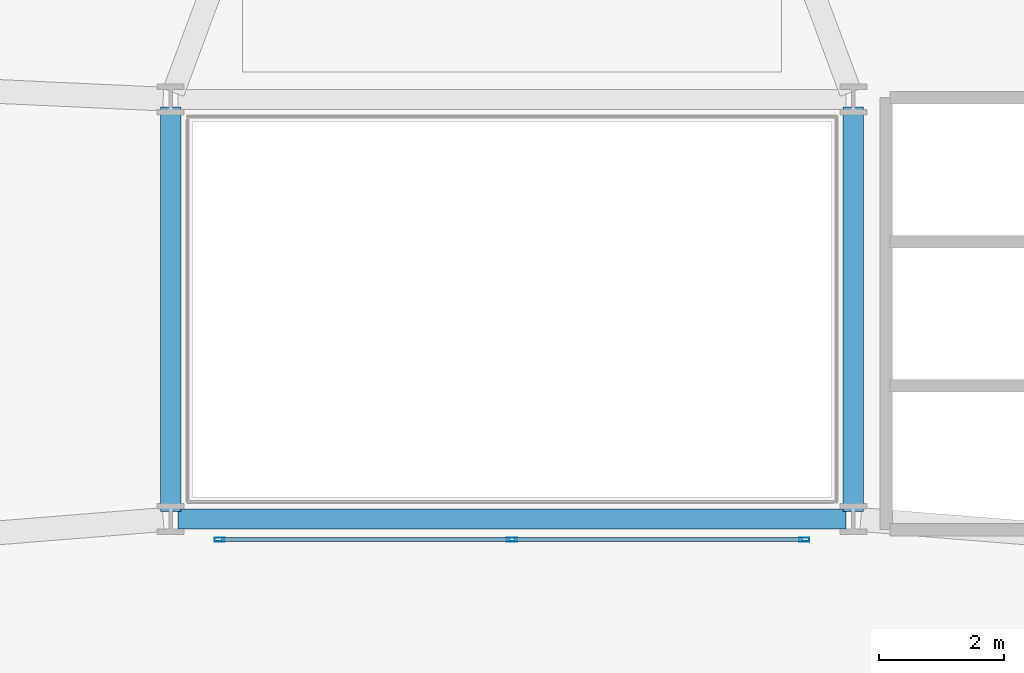
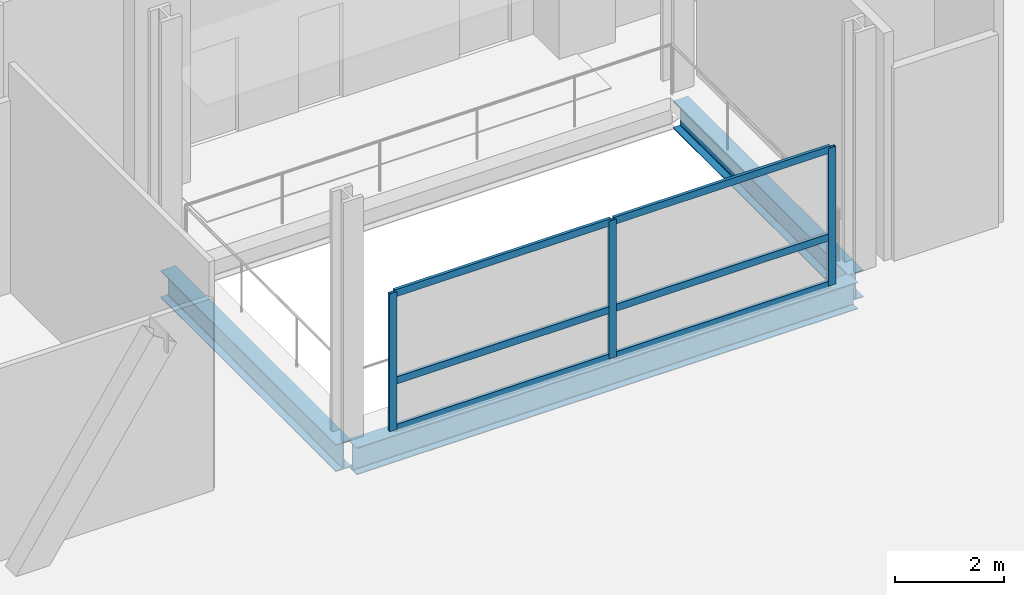
# One storey, part 15 of 40: 9 members, 3 beams, 1 element without a shape of its own.
"""IFC4 building model written with IfcOpenShell, lengths in metres."""

from ifc_helpers import new_model, si_unit, direction, frame, origin, origin_2d, place, context, subcontext, project, spatial, hollow_rectangle, i_section, extrude, material, layer, layer_set, material_profile, profile_set, type_object, element, aggregate, save


model = new_model("IFC4")

# Units and contexts
model_context = context("Model", 3, precision=1e-05, world=origin(), true_north=direction((0.0, 1.0)))
body_context = subcontext(model_context, "Body", "Model", "MODEL_VIEW")
ifc_project = project(units=[si_unit("LENGTHUNIT", "METRE"), si_unit("AREAUNIT", "SQUARE_METRE"), si_unit("VOLUMEUNIT", "CUBIC_METRE"), si_unit("PLANEANGLEUNIT", "RADIAN"), si_unit("MASSUNIT", "GRAM", prefix="KILO")], contexts=[model_context])

# Site, building, storey
site_placement = place(None, origin())
site = spatial("IfcSite", under=ifc_project, at=site_placement, CompositionType="ELEMENT")
building_placement = place(site_placement, origin())
building = spatial("IfcBuilding", under=site, at=building_placement, Name="Varnelok Gate Tower", CompositionType="ELEMENT")
storey_placement = place(building_placement, frame((0.0, 0.0, 5.39990234375)))
storey = spatial("IfcBuildingStorey", under=building, at=storey_placement, Name="L01", CompositionType="ELEMENT", Elevation=5.39990234375)

# Beams
ifc_material_1 = material(Name="Structural Steel ASTM A992 Grade 50", Category="steel")
ifc_material_profile_1 = material_profile(ifc_material_1, i_section(OverallWidth=0.323974609375, OverallDepth=0.611083984375, WebThickness=0.0126953125, FlangeThickness=0.01904296875, FilletRadius=0.01806640625, at=origin_2d()), Name="W24X104")
ifc_profile_set_1 = profile_set([ifc_material_profile_1], Name="Structural Steel ASTM A992 Grade 50")
beam_type = type_object("IfcBeamType", Name="BM-SPN-W24X104", PredefinedType="SPANDREL", material=ifc_profile_set_1)
beam_placement = place(storey_placement, frame((33.8701171875, 19.550048828125, -0.58544921875), z_axis=(1.0, 0.0, 0.0), x_axis=(0.0, 1.0, 0.0)))
element("IfcBeam", 1, at=beam_placement, inside=storey, type_object=beam_type, Name="L01 Core-Atrium Spine Beam 8", PredefinedType="SPANDREL", context=body_context, shape_type="SweptSolid", body=[
    extrude(i_section(OverallWidth=0.323974609375, OverallDepth=0.611083984375, WebThickness=0.0126953125, FlangeThickness=0.01904296875, FilletRadius=0.01806640625, at=origin_2d()), origin(), (0.0, 0.0, 1.0), 10.659912109375),
])
for number, where, z_axis, x_axis, name in (
    (2, (33.75, 19.669921875, -0.58544921875), (0.0, 1.0, 0.0), (-1.0, 0.0, 0.0), "L01 Core-Atrium Spine Beam 10"),
    (3, (44.64990234375, 19.669921875, -0.58544921875), (0.0, 1.0, 0.0), (-1.0, 0.0, 0.0), "L01 Core-Atrium Spine Beam 11"),
):
    element("IfcBeam", number, at=place(storey_placement, frame(where, z_axis=z_axis, x_axis=x_axis)), inside=storey, type_object=beam_type, Name=name, PredefinedType="SPANDREL", context=body_context, shape_type="SweptSolid", body=[
        extrude(i_section(OverallWidth=0.323974609375, OverallDepth=0.611083984375, WebThickness=0.0126953125, FlangeThickness=0.01904296875, FilletRadius=0.01806640625, at=origin_2d()), origin(), (0.0, 0.0, 1.0), 6.4599609375),
    ])

# Curtain wall, members
ifc_material_2 = material(Name="Anodized Aluminum Alloy 6063-T6", Category="aluminium")
ifc_layer = layer(ifc_material_2, 0.179931640625)
ifc_layer_set = layer_set([ifc_layer], Name="Anodized Aluminum Alloy 6063-T6")
curtain_wall_type = type_object("IfcCurtainWallType", Name="CW2-ATRIUM-GLAZING", PredefinedType="USERDEFINED", material=ifc_layer_set)
curtain_wall_placement = place(storey_placement, origin())
curtain_wall = element("IfcCurtainWall", 4, at=curtain_wall_placement, inside=storey, type_object=curtain_wall_type, Name="L01 Internal Atrium Gallery Curtain Wall", ObjectType="UNITISED CURTAIN WALL", PredefinedType="USERDEFINED")
ifc_material_profile_2 = material_profile(ifc_material_2, hollow_rectangle(XDim=0.06494140625, YDim=0.159912109375, WallThickness=0.00390625, at=origin_2d()), Name="ALU160X65X4")
ifc_profile_set_2 = profile_set([ifc_material_profile_2], Name="Anodized Aluminum Alloy 6063-T6")
member_type_1 = type_object("IfcMemberType", Name="CW-MULL-160", PredefinedType="MULLION", material=ifc_profile_set_2)
member_1_placement = place(storey_placement, frame((34.532470703125, 19.219970703125, 0.0), z_axis=(0.0, 0.0, 1.0), x_axis=(0.0, 1.0, 0.0)))
member_1 = element("IfcMember", 5, at=member_1_placement, type_object=member_type_1, Name="CW2 mullion 1", PredefinedType="MULLION", context=body_context, shape_type="SweptSolid", body=[
    extrude(hollow_rectangle(XDim=0.06494140625, YDim=0.159912109375, WallThickness=0.00390625, at=origin_2d()), origin(), (0.0, 0.0, 1.0), 3.10009765625),
])
member_2_placement = place(storey_placement, frame((39.199951171875, 19.219970703125, 0.0), z_axis=(0.0, 0.0, 1.0), x_axis=(0.0, 1.0, 0.0)))
member_2 = element("IfcMember", 6, at=member_2_placement, type_object=member_type_1, Name="CW2 mullion 2", PredefinedType="MULLION", context=body_context, shape_type="SweptSolid", body=[
    extrude(hollow_rectangle(XDim=0.06494140625, YDim=0.159912109375, WallThickness=0.00390625, at=origin_2d()), origin(), (0.0, 0.0, 1.0), 3.10009765625),
])
member_3_placement = place(storey_placement, frame((43.867431640625, 19.219970703125, 0.0), z_axis=(0.0, 0.0, 1.0), x_axis=(0.0, 1.0, 0.0)))
member_3 = element("IfcMember", 7, at=member_3_placement, type_object=member_type_1, Name="CW2 mullion 3", PredefinedType="MULLION", context=body_context, shape_type="SweptSolid", body=[
    extrude(hollow_rectangle(XDim=0.06494140625, YDim=0.159912109375, WallThickness=0.00390625, at=origin_2d()), origin(), (0.0, 0.0, 1.0), 3.10009765625),
])
ifc_material_profile_3 = material_profile(ifc_material_2, hollow_rectangle(XDim=0.06494140625, YDim=0.159912109375, WallThickness=0.00390625, at=origin_2d()), Name="ALU160X65X4")
ifc_profile_set_3 = profile_set([ifc_material_profile_3], Name="Anodized Aluminum Alloy 6063-T6")
member_type_2 = type_object("IfcMemberType", Name="CW-TRAN-160", PredefinedType="USERDEFINED", material=ifc_profile_set_3)
member_4_placement = place(storey_placement, frame((34.56494140625, 19.219970703125, 0.03271484375), z_axis=(1.0, 0.0, 0.0), x_axis=(0.0, 1.0, 0.0)))
member_4 = element("IfcMember", 8, at=member_4_placement, type_object=member_type_2, Name="CW2 transom 1.1", ObjectType="TRANSOM", PredefinedType="USERDEFINED", context=body_context, shape_type="SweptSolid", body=[
    extrude(hollow_rectangle(XDim=0.06494140625, YDim=0.159912109375, WallThickness=0.00390625, at=origin_2d()), origin(), (0.0, 0.0, 1.0), 4.6025390625),
])
member_5_placement = place(storey_placement, frame((34.56494140625, 19.219970703125, 1.10009765625), z_axis=(1.0, 0.0, 0.0), x_axis=(0.0, 1.0, 0.0)))
member_5 = element("IfcMember", 9, at=member_5_placement, type_object=member_type_2, Name="CW2 transom 1.2", ObjectType="TRANSOM", PredefinedType="USERDEFINED", context=body_context, shape_type="SweptSolid", body=[
    extrude(hollow_rectangle(XDim=0.06494140625, YDim=0.159912109375, WallThickness=0.00390625, at=origin_2d()), origin(), (0.0, 0.0, 1.0), 4.6025390625),
])
member_6_placement = place(storey_placement, frame((34.56494140625, 19.219970703125, 3.067626953125), z_axis=(1.0, 0.0, 0.0), x_axis=(0.0, 1.0, 0.0)))
member_6 = element("IfcMember", 10, at=member_6_placement, type_object=member_type_2, Name="CW2 transom 1.3", ObjectType="TRANSOM", PredefinedType="USERDEFINED", context=body_context, shape_type="SweptSolid", body=[
    extrude(hollow_rectangle(XDim=0.06494140625, YDim=0.159912109375, WallThickness=0.00390625, at=origin_2d()), origin(), (0.0, 0.0, 1.0), 4.6025390625),
])
member_7_placement = place(storey_placement, frame((39.232421875, 19.219970703125, 0.03271484375), z_axis=(1.0, 0.0, 0.0), x_axis=(0.0, 1.0, 0.0)))
member_7 = element("IfcMember", 11, at=member_7_placement, type_object=member_type_2, Name="CW2 transom 2.1", ObjectType="TRANSOM", PredefinedType="USERDEFINED", context=body_context, shape_type="SweptSolid", body=[
    extrude(hollow_rectangle(XDim=0.06494140625, YDim=0.159912109375, WallThickness=0.00390625, at=origin_2d()), origin(), (0.0, 0.0, 1.0), 4.6025390625),
])
member_8_placement = place(storey_placement, frame((39.232421875, 19.219970703125, 1.10009765625), z_axis=(1.0, 0.0, 0.0), x_axis=(0.0, 1.0, 0.0)))
member_8 = element("IfcMember", 12, at=member_8_placement, type_object=member_type_2, Name="CW2 transom 2.2", ObjectType="TRANSOM", PredefinedType="USERDEFINED", context=body_context, shape_type="SweptSolid", body=[
    extrude(hollow_rectangle(XDim=0.06494140625, YDim=0.159912109375, WallThickness=0.00390625, at=origin_2d()), origin(), (0.0, 0.0, 1.0), 4.6025390625),
])
member_9_placement = place(storey_placement, frame((39.232421875, 19.219970703125, 3.067626953125), z_axis=(1.0, 0.0, 0.0), x_axis=(0.0, 1.0, 0.0)))
member_9 = element("IfcMember", 13, at=member_9_placement, type_object=member_type_2, Name="CW2 transom 2.3", ObjectType="TRANSOM", PredefinedType="USERDEFINED", context=body_context, shape_type="SweptSolid", body=[
    extrude(hollow_rectangle(XDim=0.06494140625, YDim=0.159912109375, WallThickness=0.00390625, at=origin_2d()), origin(), (0.0, 0.0, 1.0), 4.6025390625),
])
aggregate(curtain_wall, [member_1, member_2, member_3, member_4, member_5, member_6, member_7, member_8, member_9])

save(model, "model.ifc")
